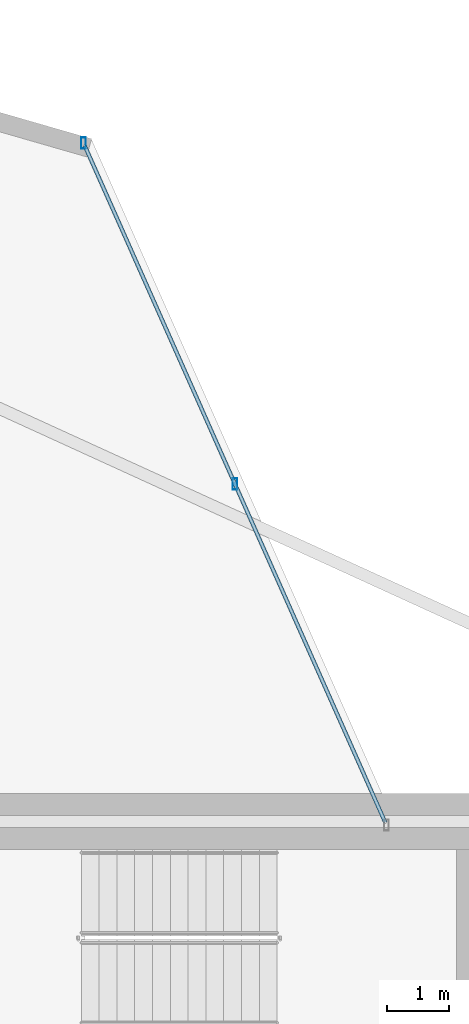
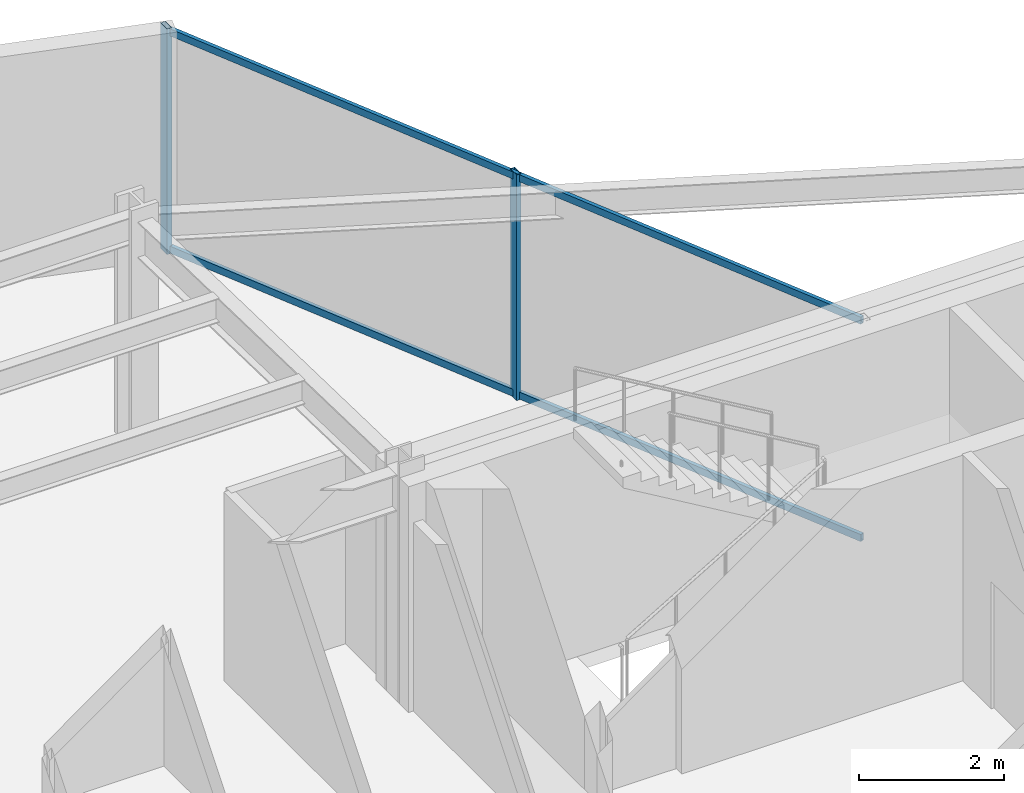
# One storey, part 17 of 23: 4 members, 1 element without a shape of its own.
"""IFC4 building model written with IfcOpenShell, lengths in metres."""

from ifc_helpers import new_model, si_unit, direction, frame, origin, origin_2d, place, context, subcontext, project, spatial, hollow_rectangle, extrude, material, layer, layer_set, material_profile, profile_set, type_object, element, aggregate, save


model = new_model("IFC4")

# Units and contexts
model_context = context("Model", 3, precision=1e-05, world=origin(), true_north=direction((0.0, 1.0)))
body_context = subcontext(model_context, "Body", "Model", "MODEL_VIEW")
ifc_project = project(units=[si_unit("LENGTHUNIT", "METRE"), si_unit("AREAUNIT", "SQUARE_METRE"), si_unit("VOLUMEUNIT", "CUBIC_METRE"), si_unit("PLANEANGLEUNIT", "RADIAN"), si_unit("MASSUNIT", "GRAM", prefix="KILO")], contexts=[model_context])

# Site, building, storey
site_placement = place(None, origin())
site = spatial("IfcSite", under=ifc_project, at=site_placement, CompositionType="ELEMENT")
building_placement = place(site_placement, origin())
building = spatial("IfcBuilding", under=site, at=building_placement, Name="Veymaron Broadcast Tower", CompositionType="ELEMENT")
storey_placement = place(building_placement, frame((0.0, 0.0, 94.5)))
storey = spatial("IfcBuildingStorey", under=building, at=storey_placement, Name="L21", CompositionType="ELEMENT", Elevation=94.5)

# Curtain wall, members
ifc_material_1 = material(Name="Anodised aluminium AA 6063-T6 and laminated low-E dark glass", Category="aluminium")
ifc_layer = layer(ifc_material_1, 0.179931640625)
ifc_layer_set = layer_set([ifc_layer], Name="Anodised aluminium AA 6063-T6 and laminated low-E dark glass")
curtain_wall_type = type_object("IfcCurtainWallType", Name="CW-SYS-02", PredefinedType="NOTDEFINED", material=ifc_layer_set)
curtain_wall_placement = place(storey_placement, origin())
curtain_wall = element("IfcCurtainWall", 1, at=curtain_wall_placement, inside=storey, type_object=curtain_wall_type, Name="L21 dark-glass curtain wall CW-L21-E5-1", PredefinedType="NOTDEFINED")
ifc_material_2 = material(Name="Anodised aluminium AA 6063-T6", Category="aluminium")
ifc_material_profile_1 = material_profile(ifc_material_2, hollow_rectangle(XDim=0.074951171875, YDim=0.179931640625, WallThickness=0.0048828125, at=origin_2d()), Name="AL180X75X5")
ifc_profile_set_1 = profile_set([ifc_material_profile_1], Name="Anodised aluminium AA 6063-T6")
member_type_1 = type_object("IfcMemberType", Name="CW-MUL-02", PredefinedType="MULLION", material=ifc_profile_set_1)
member_1_placement = place(storey_placement, frame((43.890380859375, 37.40625, 0.0), z_axis=(0.0, 0.0, 1.0), x_axis=(1.0, 0.0, 0.0)))
member_1 = element("IfcMember", 2, at=member_1_placement, type_object=member_type_1, Name="CW-L21-E5-1 mullion 1", PredefinedType="MULLION", context=body_context, shape_type="SweptSolid", body=[
    extrude(hollow_rectangle(XDim=0.074951171875, YDim=0.179931640625, WallThickness=0.0048828125, at=origin_2d()), origin(), (0.0, 0.0, 1.0), 3.81005859375),
])
member_2_placement = place(storey_placement, frame((41.464111328125, 42.869140625, 0.0), z_axis=(0.0, 0.0, 1.0), x_axis=(1.0, 0.0, 0.0)))
member_2 = element("IfcMember", 3, at=member_2_placement, type_object=member_type_1, Name="CW-L21-E5-1 mullion 2", PredefinedType="MULLION", context=body_context, shape_type="SweptSolid", body=[
    extrude(hollow_rectangle(XDim=0.074951171875, YDim=0.179931640625, WallThickness=0.0048828125, at=origin_2d()), origin(), (0.0, 0.0, 1.0), 3.81005859375),
])
ifc_material_profile_2 = material_profile(ifc_material_2, hollow_rectangle(XDim=0.06005859375, YDim=0.1201171875, WallThickness=0.00390625, at=origin_2d()), Name="AL120X60X4")
ifc_profile_set_2 = profile_set([ifc_material_profile_2], Name="Anodised aluminium AA 6063-T6")
member_type_2 = type_object("IfcMemberType", Name="CW-TRN-02", PredefinedType="USERDEFINED", material=ifc_profile_set_2)
member_3_placement = place(storey_placement, frame((46.29638671875, 31.989013671875, 0.070068359375), z_axis=(-0.40590533863, 0.913915125201, 0.0), x_axis=(-0.913915125201, -0.40590533863, 0.0)))
member_3 = element("IfcMember", 4, at=member_3_placement, type_object=member_type_2, Name="CW-L21-E5-1 transom B", ObjectType="TRANSOM", PredefinedType="USERDEFINED", context=body_context, shape_type="SweptSolid", body=[
    extrude(hollow_rectangle(XDim=0.06005859375, YDim=0.1201171875, WallThickness=0.00390625, at=origin_2d()), origin(), (0.0, 0.0, 1.0), 11.85498046875),
])
member_4_placement = place(storey_placement, frame((46.29638671875, 31.989013671875, 3.739990234375), z_axis=(-0.40590533863, 0.913915125201, 0.0), x_axis=(-0.913915125201, -0.40590533863, 0.0)))
member_4 = element("IfcMember", 5, at=member_4_placement, type_object=member_type_2, Name="CW-L21-E5-1 transom T", ObjectType="TRANSOM", PredefinedType="USERDEFINED", context=body_context, shape_type="SweptSolid", body=[
    extrude(hollow_rectangle(XDim=0.06005859375, YDim=0.1201171875, WallThickness=0.00390625, at=origin_2d()), origin(), (0.0, 0.0, 1.0), 11.85498046875),
])
aggregate(curtain_wall, [member_1, member_2, member_3, member_4])

save(model, "model.ifc")
